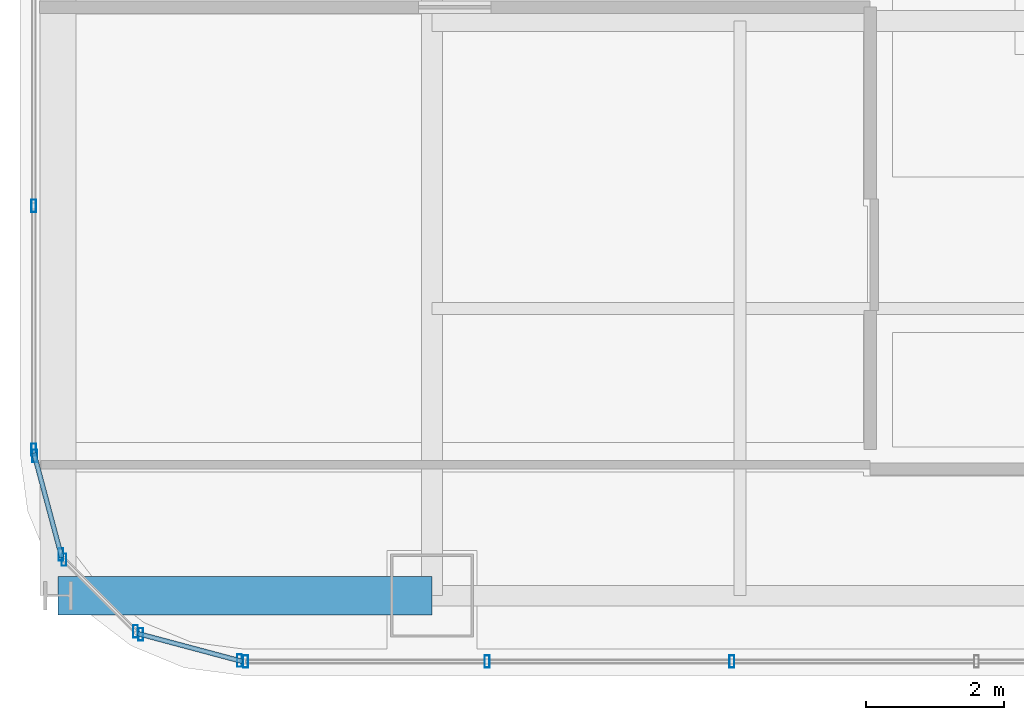
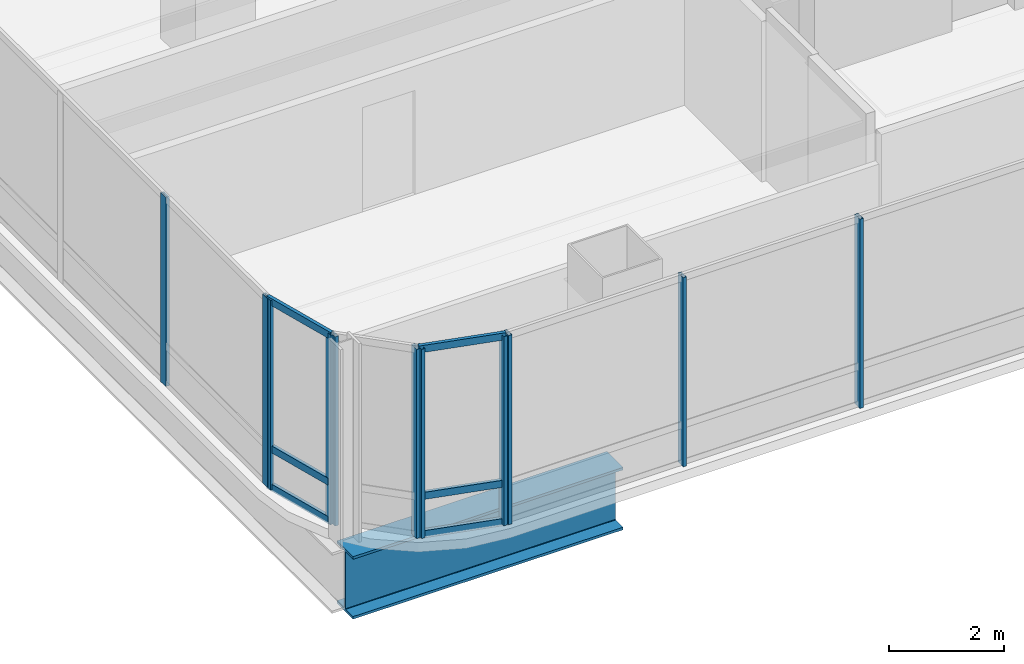
# One storey, part 2 of 41: 17 members, 1 beam, 5 elements without a shape of their own.
"""IFC4 building model written with IfcOpenShell, lengths in metres."""

from ifc_helpers import new_model, si_unit, direction, frame, origin, origin_2d, place, context, subcontext, project, spatial, hollow_rectangle, i_section, extrude, material, material_profile, profile_set, type_object, element, aggregate, save


model = new_model("IFC4")

# Units and contexts
model_context = context("Model", 3, precision=1e-05, world=origin(), true_north=direction((0.0, 1.0)))
body_context = subcontext(model_context, "Body", "Model", "MODEL_VIEW")
ifc_project = project(units=[si_unit("LENGTHUNIT", "METRE"), si_unit("AREAUNIT", "SQUARE_METRE"), si_unit("VOLUMEUNIT", "CUBIC_METRE"), si_unit("PLANEANGLEUNIT", "RADIAN"), si_unit("MASSUNIT", "GRAM", prefix="KILO")], contexts=[model_context])

# Site, building, storey
site_placement = place(None, origin())
site = spatial("IfcSite", under=ifc_project, at=site_placement, CompositionType="ELEMENT")
building_placement = place(site_placement, origin())
building = spatial("IfcBuilding", under=site, at=building_placement, Name="Punatoya Terracotta Tower", CompositionType="ELEMENT")
storey_placement = place(building_placement, frame((0.0, 0.0, 288.0)))
storey = spatial("IfcBuildingStorey", under=building, at=storey_placement, Name="L68", CompositionType="ELEMENT", Elevation=288.0)

# Beam
ifc_material_1 = material(Name="Steel S460", Category="steel")
ifc_material_profile_1 = material_profile(ifc_material_1, i_section(OverallWidth=0.56005859375, OverallDepth=1.320068359375, WebThickness=0.035888671875, FlangeThickness=0.054931640625, FilletRadius=0.01806640625, at=origin_2d()))
ifc_profile_set_1 = profile_set([ifc_material_profile_1], Name="Steel S460")
beam_type = type_object("IfcBeamType", Name="BM-TG-BLK", PredefinedType="BEAM", material=ifc_profile_set_1)
beam_placement = place(storey_placement, frame((-24.5, -17.5, -0.860107421875), z_axis=(1.0, 0.0, 0.0), x_axis=(0.0, 1.0, 0.0)))
element("IfcBeam", 1, at=beam_placement, inside=storey, type_object=beam_type, Name="BM-L68-CANT-W1", PredefinedType="BEAM", context=body_context, shape_type="SweptSolid", body=[
    extrude(i_section(OverallWidth=0.56005859375, OverallDepth=1.320068359375, WebThickness=0.035888671875, FlangeThickness=0.054931640625, FilletRadius=0.01806640625, at=origin_2d()), origin(), (0.0, 0.0, 1.0), 5.39990234375),
])

# Curtain wall, members
ifc_material_2 = material(Name="Aluminium 6063-T6 + Double Low-E Glass", Category="aluminium")
curtain_wall_type = type_object("IfcCurtainWallType", Name="CW-M3", PredefinedType="NOTDEFINED", material=ifc_material_2)
curtain_wall_1_placement = place(storey_placement, origin())
curtain_wall_1 = element("IfcCurtainWall", 2, at=curtain_wall_1_placement, inside=storey, type_object=curtain_wall_type, Name="L68 Curtain Wall CW-L68-S01-1", PredefinedType="NOTDEFINED")
ifc_material_3 = material(Name="Aluminium 6063-T6", Category="aluminium")
ifc_material_profile_2 = material_profile(ifc_material_3, hollow_rectangle(XDim=0.070068359375, YDim=0.179931640625, WallThickness=0.00390625, at=origin_2d()))
ifc_profile_set_2 = profile_set([ifc_material_profile_2], Name="Aluminium 6063-T6")
member_type_1 = type_object("IfcMemberType", Name="CW-MUL-M3", PredefinedType="MULLION", material=ifc_profile_set_2)
member_1_placement = place(storey_placement, frame((-21.7919921875, -18.449951171875, 0.0), z_axis=(0.0, 0.0, 1.0), x_axis=(1.0, 0.0, 0.0)))
member_1 = element("IfcMember", 3, at=member_1_placement, type_object=member_type_1, Name="CW-L68-S01-1 Mullion 00", PredefinedType="MULLION", context=body_context, shape_type="SweptSolid", body=[
    extrude(hollow_rectangle(XDim=0.070068359375, YDim=0.179931640625, WallThickness=0.00390625, at=origin_2d()), origin(), (0.0, 0.0, 1.0), 4.0),
])
member_2_placement = place(storey_placement, frame((-18.302978515625, -18.449951171875, 0.0), z_axis=(0.0, 0.0, 1.0), x_axis=(1.0, 0.0, 0.0)))
member_2 = element("IfcMember", 4, at=member_2_placement, type_object=member_type_1, Name="CW-L68-S01-1 Mullion 01", PredefinedType="MULLION", context=body_context, shape_type="SweptSolid", body=[
    extrude(hollow_rectangle(XDim=0.070068359375, YDim=0.179931640625, WallThickness=0.00390625, at=origin_2d()), origin(), (0.0, 0.0, 1.0), 4.0),
])
member_3_placement = place(storey_placement, frame((-14.768798828125, -18.449951171875, 0.0), z_axis=(0.0, 0.0, 1.0), x_axis=(1.0, 0.0, 0.0)))
member_3 = element("IfcMember", 5, at=member_3_placement, type_object=member_type_1, Name="CW-L68-S01-1 Mullion 02", PredefinedType="MULLION", context=body_context, shape_type="SweptSolid", body=[
    extrude(hollow_rectangle(XDim=0.070068359375, YDim=0.179931640625, WallThickness=0.00390625, at=origin_2d()), origin(), (0.0, 0.0, 1.0), 4.0),
])
aggregate(curtain_wall_1, [member_1, member_2, member_3])

curtain_wall_2_placement = place(storey_placement, origin())
curtain_wall_2 = element("IfcCurtainWall", 6, at=curtain_wall_2_placement, inside=storey, type_object=curtain_wall_type, Name="L68 Curtain Wall CW-L68-W13-1", PredefinedType="NOTDEFINED")
member_4_placement = place(storey_placement, frame((-24.85009765625, -11.869384765625, 0.0), z_axis=(0.0, 0.0, 1.0), x_axis=(1.0, 0.0, 0.0)))
member_4 = element("IfcMember", 7, at=member_4_placement, type_object=member_type_1, Name="CW-L68-W13-1 Mullion 09", PredefinedType="MULLION", context=body_context, shape_type="SweptSolid", body=[
    extrude(hollow_rectangle(XDim=0.070068359375, YDim=0.179931640625, WallThickness=0.00390625, at=origin_2d()), origin(), (0.0, 0.0, 1.0), 4.0),
])
member_5_placement = place(storey_placement, frame((-24.85009765625, -15.391845703125, 0.0), z_axis=(0.0, 0.0, 1.0), x_axis=(1.0, 0.0, 0.0)))
member_5 = element("IfcMember", 8, at=member_5_placement, type_object=member_type_1, Name="CW-L68-W13-1 Mullion 10", PredefinedType="MULLION", context=body_context, shape_type="SweptSolid", body=[
    extrude(hollow_rectangle(XDim=0.070068359375, YDim=0.179931640625, WallThickness=0.00390625, at=origin_2d()), origin(), (0.0, 0.0, 1.0), 4.0),
])
aggregate(curtain_wall_2, [member_4, member_5])

curtain_wall_3_placement = place(storey_placement, origin())
curtain_wall_3 = element("IfcCurtainWall", 9, at=curtain_wall_3_placement, inside=storey, type_object=curtain_wall_type, Name="L68 Curtain Wall CW-L68-CRN14", PredefinedType="NOTDEFINED")
member_6_placement = place(storey_placement, frame((-24.83837890625, -15.48046875, 0.0), z_axis=(0.0, 0.0, 1.0), x_axis=(1.0, 0.0, 0.0)))
member_6 = element("IfcMember", 10, at=member_6_placement, type_object=member_type_1, Name="CW-L68-CRN14 Mullion 00", PredefinedType="MULLION", context=body_context, shape_type="SweptSolid", body=[
    extrude(hollow_rectangle(XDim=0.070068359375, YDim=0.179931640625, WallThickness=0.00390625, at=origin_2d()), origin(), (0.0, 0.0, 1.0), 4.0),
])
member_7_placement = place(storey_placement, frame((-24.458251953125, -16.905517578125, 0.0), z_axis=(0.0, 0.0, 1.0), x_axis=(1.0, 0.0, 0.0)))
member_7 = element("IfcMember", 11, at=member_7_placement, type_object=member_type_1, Name="CW-L68-CRN14 Mullion 01", PredefinedType="MULLION", context=body_context, shape_type="SweptSolid", body=[
    extrude(hollow_rectangle(XDim=0.070068359375, YDim=0.179931640625, WallThickness=0.00390625, at=origin_2d()), origin(), (0.0, 0.0, 1.0), 4.0),
])

curtain_wall_4_placement = place(storey_placement, origin())
curtain_wall_4 = element("IfcCurtainWall", 12, at=curtain_wall_4_placement, inside=storey, type_object=curtain_wall_type, Name="L68 Curtain Wall CW-L68-CRN15", PredefinedType="NOTDEFINED")
member_8_placement = place(storey_placement, frame((-24.414794921875, -16.98095703125, 0.0), z_axis=(0.0, 0.0, 1.0), x_axis=(1.0, 0.0, 0.0)))
member_8 = element("IfcMember", 13, at=member_8_placement, type_object=member_type_1, Name="CW-L68-CRN15 Mullion 00", PredefinedType="MULLION", context=body_context, shape_type="SweptSolid", body=[
    extrude(hollow_rectangle(XDim=0.070068359375, YDim=0.179931640625, WallThickness=0.00390625, at=origin_2d()), origin(), (0.0, 0.0, 1.0), 4.0),
])
member_9_placement = place(storey_placement, frame((-23.380859375, -18.014892578125, 0.0), z_axis=(0.0, 0.0, 1.0), x_axis=(1.0, 0.0, 0.0)))
member_9 = element("IfcMember", 14, at=member_9_placement, type_object=member_type_1, Name="CW-L68-CRN15 Mullion 01", PredefinedType="MULLION", context=body_context, shape_type="SweptSolid", body=[
    extrude(hollow_rectangle(XDim=0.070068359375, YDim=0.179931640625, WallThickness=0.00390625, at=origin_2d()), origin(), (0.0, 0.0, 1.0), 4.0),
])
aggregate(curtain_wall_4, [member_8, member_9])

curtain_wall_5_placement = place(storey_placement, origin())
curtain_wall_5 = element("IfcCurtainWall", 15, at=curtain_wall_5_placement, inside=storey, type_object=curtain_wall_type, Name="L68 Curtain Wall CW-L68-CRN16", PredefinedType="NOTDEFINED")
member_10_placement = place(storey_placement, frame((-23.3056640625, -18.05810546875, 0.0), z_axis=(0.0, 0.0, 1.0), x_axis=(1.0, 0.0, 0.0)))
member_10 = element("IfcMember", 16, at=member_10_placement, type_object=member_type_1, Name="CW-L68-CRN16 Mullion 00", PredefinedType="MULLION", context=body_context, shape_type="SweptSolid", body=[
    extrude(hollow_rectangle(XDim=0.070068359375, YDim=0.179931640625, WallThickness=0.00390625, at=origin_2d()), origin(), (0.0, 0.0, 1.0), 4.0),
])
member_11_placement = place(storey_placement, frame((-21.88037109375, -18.4384765625, 0.0), z_axis=(0.0, 0.0, 1.0), x_axis=(1.0, 0.0, 0.0)))
member_11 = element("IfcMember", 17, at=member_11_placement, type_object=member_type_1, Name="CW-L68-CRN16 Mullion 01", PredefinedType="MULLION", context=body_context, shape_type="SweptSolid", body=[
    extrude(hollow_rectangle(XDim=0.070068359375, YDim=0.179931640625, WallThickness=0.00390625, at=origin_2d()), origin(), (0.0, 0.0, 1.0), 4.0),
])

# Member
ifc_material_profile_3 = material_profile(ifc_material_3, hollow_rectangle(XDim=0.068115234375, YDim=0.14990234375, WallThickness=0.00390625, at=origin_2d()))
ifc_profile_set_3 = profile_set([ifc_material_profile_3], Name="Aluminium 6063-T6")
member_type_2 = type_object("IfcMemberType", Name="CW-TRN-TYP", PredefinedType="USERDEFINED", material=ifc_profile_set_3)
member_12_placement = place(storey_placement, frame((-24.85009765625, -15.43701171875, 0.0400390625), z_axis=(0.257847112249, -0.966185730957, 0.0), x_axis=(0.966185730957, 0.257847112249, 0.0)))
member_12 = element("IfcMember", 18, at=member_12_placement, type_object=member_type_2, Name="CW-L68-CRN14 Transom 1", ObjectType="TRANSOM", PredefinedType="USERDEFINED", context=body_context, shape_type="SweptSolid", body=[
    extrude(hollow_rectangle(XDim=0.068115234375, YDim=0.14990234375, WallThickness=0.00390625, at=origin_2d()), origin(), (0.0, 0.0, 1.0), 1.565185546875),
])

member_13_placement = place(storey_placement, frame((-24.85009765625, -15.43701171875, 0.85009765625), z_axis=(0.257847112249, -0.966185730957, 0.0), x_axis=(0.966185730957, 0.257847112249, 0.0)))
member_13 = element("IfcMember", 19, at=member_13_placement, type_object=member_type_2, Name="CW-L68-CRN14 Transom 2", ObjectType="TRANSOM", PredefinedType="USERDEFINED", context=body_context, shape_type="SweptSolid", body=[
    extrude(hollow_rectangle(XDim=0.068115234375, YDim=0.14990234375, WallThickness=0.00390625, at=origin_2d()), origin(), (0.0, 0.0, 1.0), 1.565185546875),
])

member_14_placement = place(storey_placement, frame((-24.85009765625, -15.43701171875, 3.9599609375), z_axis=(0.257847112249, -0.966185730957, 0.0), x_axis=(0.966185730957, 0.257847112249, 0.0)))
member_14 = element("IfcMember", 20, at=member_14_placement, type_object=member_type_2, Name="CW-L68-CRN14 Transom 3", ObjectType="TRANSOM", PredefinedType="USERDEFINED", context=body_context, shape_type="SweptSolid", body=[
    extrude(hollow_rectangle(XDim=0.068115234375, YDim=0.14990234375, WallThickness=0.00390625, at=origin_2d()), origin(), (0.0, 0.0, 1.0), 1.565185546875),
])

aggregate(curtain_wall_3, [member_6, member_7, member_12, member_13, member_14])

member_15_placement = place(storey_placement, frame((-23.34912109375, -18.046630859375, 0.0400390625), z_axis=(0.966224582397, -0.257701486942, 0.0), x_axis=(0.257701486942, 0.966224582397, 0.0)))
member_15 = element("IfcMember", 21, at=member_15_placement, type_object=member_type_2, Name="CW-L68-CRN16 Transom 1", ObjectType="TRANSOM", PredefinedType="USERDEFINED", context=body_context, shape_type="SweptSolid", body=[
    extrude(hollow_rectangle(XDim=0.068115234375, YDim=0.14990234375, WallThickness=0.00390625, at=origin_2d()), origin(), (0.0, 0.0, 1.0), 1.565185546875),
])

member_16_placement = place(storey_placement, frame((-23.34912109375, -18.046630859375, 0.85009765625), z_axis=(0.966224582397, -0.257701486942, 0.0), x_axis=(0.257701486942, 0.966224582397, 0.0)))
member_16 = element("IfcMember", 22, at=member_16_placement, type_object=member_type_2, Name="CW-L68-CRN16 Transom 2", ObjectType="TRANSOM", PredefinedType="USERDEFINED", context=body_context, shape_type="SweptSolid", body=[
    extrude(hollow_rectangle(XDim=0.068115234375, YDim=0.14990234375, WallThickness=0.00390625, at=origin_2d()), origin(), (0.0, 0.0, 1.0), 1.565185546875),
])

member_17_placement = place(storey_placement, frame((-23.34912109375, -18.046630859375, 3.9599609375), z_axis=(0.966224582397, -0.257701486942, 0.0), x_axis=(0.257701486942, 0.966224582397, 0.0)))
member_17 = element("IfcMember", 23, at=member_17_placement, type_object=member_type_2, Name="CW-L68-CRN16 Transom 3", ObjectType="TRANSOM", PredefinedType="USERDEFINED", context=body_context, shape_type="SweptSolid", body=[
    extrude(hollow_rectangle(XDim=0.068115234375, YDim=0.14990234375, WallThickness=0.00390625, at=origin_2d()), origin(), (0.0, 0.0, 1.0), 1.565185546875),
])

aggregate(curtain_wall_5, [member_10, member_11, member_15, member_16, member_17])

save(model, "model.ifc")
